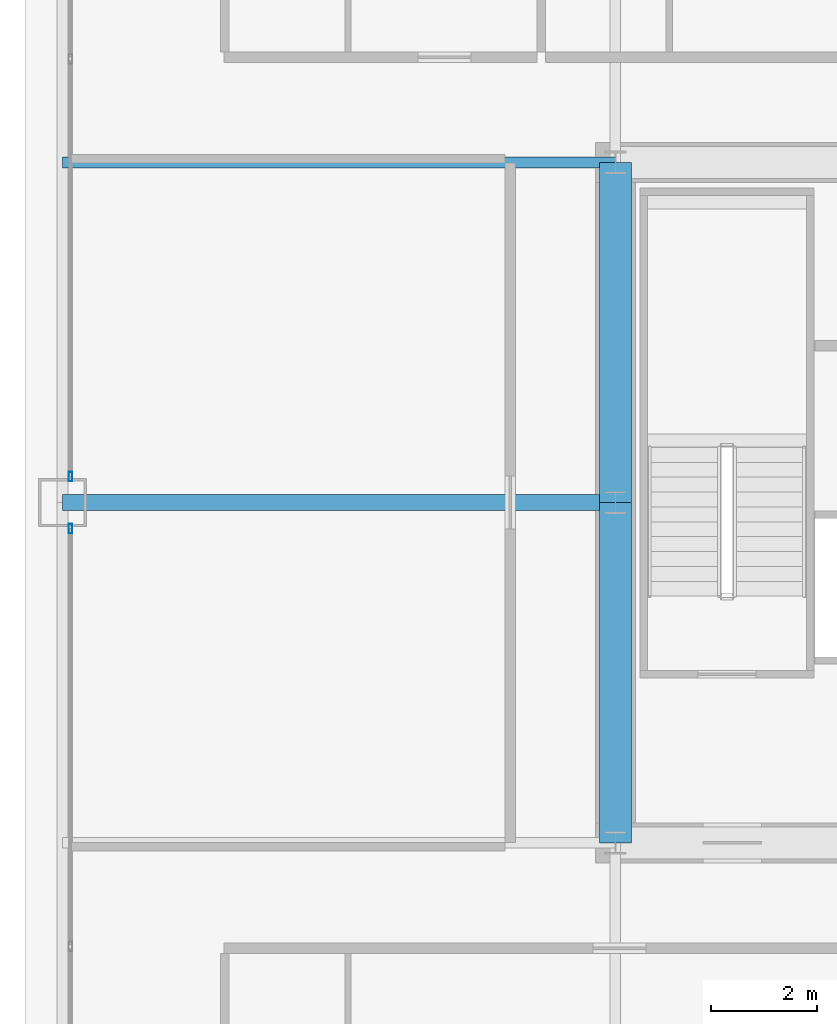
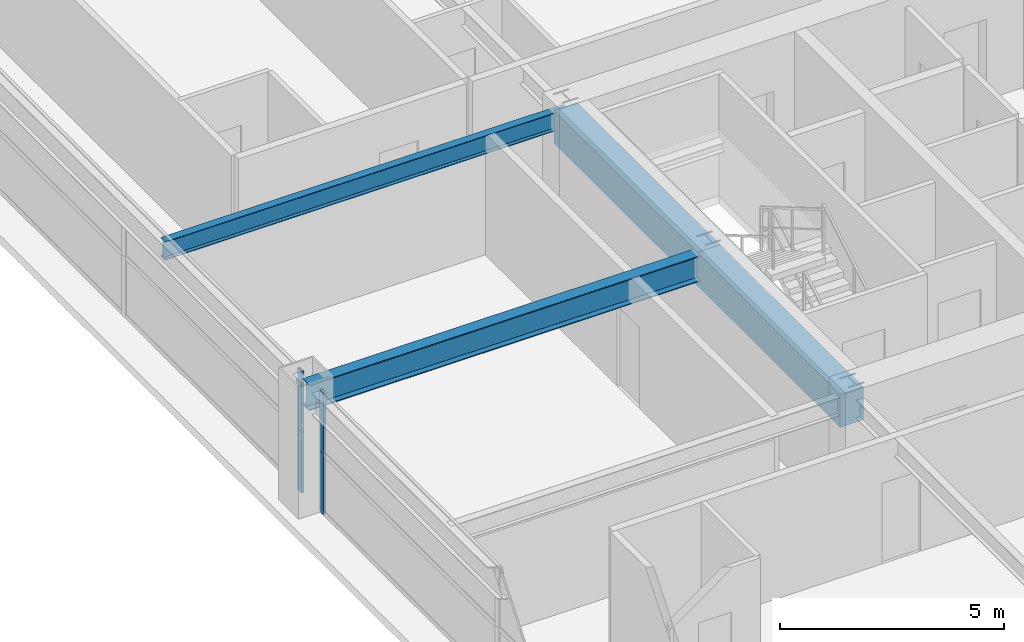
# One storey, part 11 of 38: 4 beams, 4 members, 2 elements without a shape of their own.
"""IFC4 building model written with IfcOpenShell, lengths in metres."""

import ifcopenshell
import ifcopenshell.guid

model = None  # the IFC model being written
_history = None  # IfcOwnerHistory: only IFC2X3 demands one
_inside = {}  # id of a spatial element -> (the spatial element, [elements in it])
_under = {}  # id of a project, library or spatial element -> (it, [spatial elements below it])
_declared = {}  # id of a project -> (the project, [libraries it declares])
_typed = {}  # id of a type object -> (the type object, [elements of that type])
_made_of = {}  # id of a material, layer set ... -> (it, [elements and type objects made of it])


def new_model(schema):
    """Start an empty IFC model of exactly this schema.

    Asked for "IFC4X3", IfcOpenShell would pick the latest addendum, in which some entities
    have other attributes; the version numbers below select the first issue.
    IFC2X3 requires an IfcOwnerHistory on every rooted entity: one is made here for all.
    """
    global model, _history
    if schema == "IFC4X3":
        model = ifcopenshell.file(schema_version=(4, 3, 0, 0))
    else:
        model = ifcopenshell.file(schema=schema)
    _inside.clear()
    _under.clear()
    _declared.clear()
    _typed.clear()
    _made_of.clear()
    _history = None
    if model.schema == "IFC2X3":
        org = make("IfcOrganization", Name="unknown")
        user = make(
            "IfcPersonAndOrganization",
            ThePerson=make("IfcPerson", FamilyName="unknown"),
            TheOrganization=org,
        )
        app = make(
            "IfcApplication",
            ApplicationDeveloper=org,
            Version="unknown",
            ApplicationFullName="unknown",
            ApplicationIdentifier="unknown",
        )
        _history = make(
            "IfcOwnerHistory",
            OwningUser=user,
            OwningApplication=app,
            ChangeAction="ADDED",
            CreationDate=0,
        )
    return model


def make(cls, **values):
    """One entity of the class cls with the attributes given. An attribute that is None is left unset."""
    return model.create_entity(
        cls, **{name: value for name, value in values.items() if value is not None}
    )


def rooted(cls, **values):
    """An entity with a GlobalId (a new one), such as an element, a storey or a relation."""
    return make(cls, GlobalId=ifcopenshell.guid.new(), OwnerHistory=_history, **values)


def si_unit(unit_type, name, prefix=None):
    """IfcSIUnit, for example si_unit("LENGTHUNIT", "METRE", prefix="MILLI")."""
    return make("IfcSIUnit", UnitType=unit_type, Prefix=prefix, Name=name)


def assignment(units):
    """IfcUnitAssignment: the units of a project."""
    return None if units is None else make("IfcUnitAssignment", Units=units)


def point(xyz):
    """IfcCartesianPoint."""
    return None if xyz is None else make("IfcCartesianPoint", Coordinates=xyz)


def direction(xyz):
    """IfcDirection."""
    return None if xyz is None else make("IfcDirection", DirectionRatios=xyz)


def frame(location, z_axis=None, x_axis=None):
    """IfcAxis2Placement3D, a coordinate frame: its origin and axes. An axis left out is left unset."""
    return make(
        "IfcAxis2Placement3D",
        Location=point(location),
        Axis=direction(z_axis),
        RefDirection=direction(x_axis),
    )


def frame_2d(location, x_axis=None):
    """IfcAxis2Placement2D, a coordinate frame in the plane: its origin and x axis."""
    return make(
        "IfcAxis2Placement2D", Location=point(location), RefDirection=direction(x_axis)
    )


def origin():
    """The frame at (0, 0, 0) with its axes left unset."""
    return frame((0.0, 0.0, 0.0))


def origin_2d():
    """The frame at (0, 0) in the plane with its x axis left unset."""
    return frame_2d((0.0, 0.0))


def place(relative_to, where):
    """IfcLocalPlacement: puts the frame where relative to a parent placement (None: the world)."""
    return make(
        "IfcLocalPlacement", PlacementRelTo=relative_to, RelativePlacement=where
    )


def context(
    kind, dimensions, precision=None, world=None, true_north=None, identifier=None
):
    """IfcGeometricRepresentationContext, for example the 3D "Model" context."""
    return make(
        "IfcGeometricRepresentationContext",
        ContextIdentifier=identifier,
        ContextType=kind,
        CoordinateSpaceDimension=dimensions,
        Precision=precision,
        WorldCoordinateSystem=world,
        TrueNorth=true_north,
    )


def subcontext(parent, identifier, kind, view, scale=None):
    """IfcGeometricRepresentationSubContext, for example "Body" below "Model"."""
    return make(
        "IfcGeometricRepresentationSubContext",
        ContextIdentifier=identifier,
        ContextType=kind,
        ParentContext=parent,
        TargetScale=scale,
        TargetView=view,
    )


def project(units=None, contexts=None):
    """IfcProject with its units and contexts."""
    return rooted(
        "IfcProject",
        Name="project",
        RepresentationContexts=contexts,
        UnitsInContext=assignment(units),
    )


def spatial(cls, under=None, at=None, **own):
    """A site, building, storey or space (cls), placed at a placement, below another one or the project."""
    s = rooted(cls, ObjectPlacement=at, **own)
    if under is not None:
        _under.setdefault(under.id(), (under, []))[1].append(s)
    return s


def profile(cls, at=None, kind="AREA", **sizes):
    """A parametric profile (cls). Its sizes go by their IFC names, for example OverallWidth=200.0."""
    return make(cls, ProfileType=kind, Position=at, **sizes)


def rectangle(**sizes):
    """IfcRectangleProfileDef."""
    return profile("IfcRectangleProfileDef", **sizes)


def hollow_rectangle(**sizes):
    """IfcRectangleHollowProfileDef."""
    return profile("IfcRectangleHollowProfileDef", **sizes)


def i_section(**sizes):
    """IfcIShapeProfileDef."""
    return profile("IfcIShapeProfileDef", **sizes)


def extrude(swept, where, along, depth):
    """IfcExtrudedAreaSolid: the profile swept, set in the frame where, extruded along a direction by depth."""
    return make(
        "IfcExtrudedAreaSolid",
        SweptArea=swept,
        Position=where,
        ExtrudedDirection=direction(along),
        Depth=depth,
    )


def shape(context_of_items, identifier, shape_type, items):
    """IfcShapeRepresentation: the items that make up one representation, for example the "Body"."""
    return make(
        "IfcShapeRepresentation",
        ContextOfItems=context_of_items,
        RepresentationIdentifier=identifier,
        RepresentationType=shape_type,
        Items=items,
    )


def source(mapping_origin, context_of_items, identifier, shape_type, items):
    """IfcRepresentationMap: a shape defined once, which mapped items show again and again."""
    return make(
        "IfcRepresentationMap",
        MappingOrigin=mapping_origin,
        MappedRepresentation=shape(context_of_items, identifier, shape_type, items),
    )


def transform(
    local_origin,
    x_axis=None,
    y_axis=None,
    z_axis=None,
    scale=None,
    scale2=None,
    scale3=None,
    uniform=True,
):
    """IfcCartesianTransformationOperator3D, or its non-uniform kind. x_axis, y_axis, z_axis: its Axis1, 2, 3."""
    if uniform:
        return make(
            "IfcCartesianTransformationOperator3D",
            Axis1=direction(x_axis),
            Axis2=direction(y_axis),
            LocalOrigin=point(local_origin),
            Scale=scale,
            Axis3=direction(z_axis),
        )
    return make(
        "IfcCartesianTransformationOperator3DnonUniform",
        Axis1=direction(x_axis),
        Axis2=direction(y_axis),
        LocalOrigin=point(local_origin),
        Scale=scale,
        Axis3=direction(z_axis),
        Scale2=scale2,
        Scale3=scale3,
    )


def mapped(mapping_source, mapping_target):
    """IfcMappedItem: shows the shape of a source again, moved by a transform."""
    return make(
        "IfcMappedItem", MappingSource=mapping_source, MappingTarget=mapping_target
    )


def material(Name=None, Category=None):
    """IfcMaterial."""
    return make("IfcMaterial", Name=Name, Category=Category)


def layer(
    of_material, thickness, ventilated=None, Name=None, Category=None, Priority=None
):
    """IfcMaterialLayer: one layer of a wall or slab, of a material (None: an air gap)."""
    return make(
        "IfcMaterialLayer",
        Material=of_material,
        LayerThickness=thickness,
        IsVentilated=ventilated,
        Name=Name,
        Category=Category,
        Priority=Priority,
    )


def layer_set(layers, Name=None):
    """IfcMaterialLayerSet."""
    return make("IfcMaterialLayerSet", MaterialLayers=layers, LayerSetName=Name)


def material_profile(
    of_material, cross_section, Name=None, Category=None, Priority=None
):
    """IfcMaterialProfile: a cross section and its material."""
    return make(
        "IfcMaterialProfile",
        Name=Name,
        Material=of_material,
        Profile=cross_section,
        Priority=Priority,
        Category=Category,
    )


def profile_set(profiles, Name=None, composite=None):
    """IfcMaterialProfileSet."""
    return make(
        "IfcMaterialProfileSet",
        Name=Name,
        MaterialProfiles=profiles,
        CompositeProfile=composite,
    )


def made_of(thing, what):
    """Note that an element or type object is made of a material, layer set ...; save() writes the relation."""
    if what is not None:
        _made_of.setdefault(what.id(), (what, []))[1].append(thing)
    return thing


def type_object(cls, material=None, **own):
    """A type object (cls), such as IfcWallType, which elements share."""
    return made_of(rooted(cls, **own), material)


def element(
    cls,
    number,
    at=None,
    inside=None,
    cuts=None,
    type_object=None,
    material=None,
    context=None,
    identifier="Body",
    shape_type=None,
    held_by="IfcProductDefinitionShape",
    body=None,
    shapes=None,
    **own,
):
    """One element of the class cls, such as IfcWall. Its Tag is "e" and its number.

    at: its placement. inside: the storey or other place that contains it. cuts: it is an
    opening in that element (IfcRelVoidsElement). A single representation is given by context,
    identifier, shape_type and body (its items); several are given by shapes. held_by: the class
    of the entity that holds the representations. save() writes the other relations.
    """
    e = rooted(cls, Tag="e%d" % number, ObjectPlacement=at, **own)
    if body is not None:
        shapes = [shape(context, identifier, shape_type, body)]
    if shapes is not None:
        e.Representation = make(held_by, Representations=shapes)
    if inside is not None:
        _inside.setdefault(inside.id(), (inside, []))[1].append(e)
    if cuts is not None:
        rooted(
            "IfcRelVoidsElement", RelatingBuildingElement=cuts, RelatedOpeningElement=e
        )
    if type_object is not None:
        _typed.setdefault(type_object.id(), (type_object, []))[1].append(e)
    return made_of(e, material)


def aggregate(whole, parts):
    """IfcRelAggregates: a whole, such as a stair, and the parts it consists of."""
    return rooted("IfcRelAggregates", RelatingObject=whole, RelatedObjects=parts)


def save(model, path):
    """Write the relations noted so far, then the file.

    IfcRelAggregates (storeys below a building ...), IfcRelContainedInSpatialStructure (elements
    in a storey), IfcRelDefinesByType, IfcRelAssociatesMaterial and IfcRelDeclares: one each for
    every whole, place, type object, material and project.
    """
    for whole, parts in _under.values():
        aggregate(whole, parts)
    for where, things in _inside.values():
        rooted(
            "IfcRelContainedInSpatialStructure",
            RelatedElements=things,
            RelatingStructure=where,
        )
    for kind, things in _typed.values():
        rooted("IfcRelDefinesByType", RelatedObjects=things, RelatingType=kind)
    for what, things in _made_of.values():
        rooted("IfcRelAssociatesMaterial", RelatedObjects=things, RelatingMaterial=what)
    for by, libraries in _declared.values():
        rooted("IfcRelDeclares", RelatingContext=by, RelatedDefinitions=libraries)
    model.write(path)


model = new_model("IFC4")

# Units and contexts
model_context = context("Model", 3, precision=1e-05, world=origin(), true_north=direction((0.0, 1.0)))
body_context = subcontext(model_context, "Body", "Model", "MODEL_VIEW")
ifc_project = project(units=[si_unit("LENGTHUNIT", "METRE"), si_unit("AREAUNIT", "SQUARE_METRE"), si_unit("VOLUMEUNIT", "CUBIC_METRE"), si_unit("PLANEANGLEUNIT", "RADIAN"), si_unit("MASSUNIT", "GRAM", prefix="KILO"), si_unit("THERMODYNAMICTEMPERATUREUNIT", "KELVIN"), si_unit("POWERUNIT", "WATT")], contexts=[model_context])

# Site, building, storey
site_placement = place(None, origin())
site = spatial("IfcSite", under=ifc_project, at=site_placement, CompositionType="ELEMENT")
building_placement = place(site_placement, origin())
building = spatial("IfcBuilding", under=site, at=building_placement, Name="Yuzanri Waterfront Tower", CompositionType="ELEMENT")
storey_placement = place(building_placement, frame((0.0, 0.0, 126.199951171875)))
storey = spatial("IfcBuildingStorey", under=building, at=storey_placement, Name="L33", CompositionType="ELEMENT", Elevation=126.199951171875)

# Beams
ifc_material_1 = material(Name="Concrete C60", Category="concrete")
ifc_material_profile_1 = material_profile(ifc_material_1, rectangle(XDim=0.60009765625, YDim=0.89990234375, at=origin_2d()), Name="RC 600x900")
ifc_profile_set_1 = profile_set([ifc_material_profile_1], Name="Concrete C60")
beam_type_1 = type_object("IfcBeamType", Name="Core Coupling Lintel Concrete C60 600x900", PredefinedType="LINTEL", material=ifc_profile_set_1)
shared_shape_1 = source(origin(), body_context, "Body", "SweptSolid", [
    extrude(rectangle(XDim=0.60009765625, YDim=0.89990234375, at=origin_2d()), origin(), (0.0, 0.0, 1.0), 6.400146484375),
])
beam_1_placement = place(storey_placement, frame((23.800048828125, 19.39990234375, 2.8701171875), z_axis=(0.0, 1.0, 0.0), x_axis=(-1.0, 0.0, 0.0)))
element("IfcBeam", 1, at=beam_1_placement, inside=storey, type_object=beam_type_1, Name="L33 Core Tie Beam CW1", PredefinedType="LINTEL", context=body_context, shape_type="MappedRepresentation", body=[
    mapped(shared_shape_1, transform((0.0, 0.0, 0.0), scale=1.0)),
])
shared_shape_2 = source(origin(), body_context, "Body", "SweptSolid", [
    extrude(rectangle(XDim=0.60009765625, YDim=0.89990234375, at=origin_2d()), origin(), (0.0, 0.0, 1.0), 6.39990234375),
])
beam_2_placement = place(storey_placement, frame((23.800048828125, 25.800048828125, 2.8701171875), z_axis=(0.0, 1.0, 0.0), x_axis=(-1.0, 0.0, 0.0)))
element("IfcBeam", 2, at=beam_2_placement, inside=storey, type_object=beam_type_1, Name="L33 Core Tie Beam CW2", PredefinedType="LINTEL", context=body_context, shape_type="MappedRepresentation", body=[
    mapped(shared_shape_2, transform((0.0, 0.0, 0.0), scale=1.0)),
])
ifc_material_2 = material(Name="Steel Q355B", Category="steel")
ifc_material_profile_2 = material_profile(ifc_material_2, i_section(OverallWidth=0.300048828125, OverallDepth=0.699951171875, WebThickness=0.012939453125, FlangeThickness=0.02392578125, at=origin_2d()), Name="HN 700x300x13x24")
ifc_profile_set_2 = profile_set([ifc_material_profile_2], Name="Steel Q355B")
beam_type_2 = type_object("IfcBeamType", Name="Primary Floor Girder Q355B HN 700x300", PredefinedType="BEAM", material=ifc_profile_set_2)
shared_shape_3 = source(origin(), body_context, "Body", "SweptSolid", [
    extrude(i_section(OverallWidth=0.300048828125, OverallDepth=0.699951171875, WebThickness=0.012939453125, FlangeThickness=0.02392578125, at=origin_2d()), origin(), (0.0, 0.0, 1.0), 10.400146484375),
])
beam_3_placement = place(storey_placement, frame((23.800048828125, 25.800048828125, 2.969970703125), z_axis=(-1.0, 0.0, 0.0), x_axis=(0.0, -1.0, 0.0)))
element("IfcBeam", 3, at=beam_3_placement, inside=storey, type_object=beam_type_2, Name="L33 West Grid Girder", PredefinedType="BEAM", context=body_context, shape_type="MappedRepresentation", body=[
    mapped(shared_shape_3, transform((0.0, 0.0, 0.0), scale=1.0)),
])
ifc_material_3 = material(Name="Steel Q355B", Category="steel")
ifc_material_profile_3 = material_profile(ifc_material_3, i_section(OverallWidth=0.199951171875, OverallDepth=0.5, WebThickness=0.010009765625, FlangeThickness=0.01611328125, at=origin_2d()), Name="HN 500x200x10x16")
ifc_profile_set_3 = profile_set([ifc_material_profile_3], Name="Steel Q355B")
beam_type_3 = type_object("IfcBeamType", Name="Secondary Floor Beam Q355B HN 500x200", PredefinedType="BEAM", material=ifc_profile_set_3)
shared_shape_4 = source(origin(), body_context, "Body", "SweptSolid", [
    extrude(i_section(OverallWidth=0.199951171875, OverallDepth=0.5, WebThickness=0.010009765625, FlangeThickness=0.01611328125, at=origin_2d()), origin(), (0.0, 0.0, 1.0), 10.400146484375),
])
beam_4_placement = place(storey_placement, frame((23.800048828125, 32.199951171875, 3.070068359375), z_axis=(-1.0, 0.0, 0.0), x_axis=(0.0, -1.0, 0.0)))
element("IfcBeam", 4, at=beam_4_placement, inside=storey, type_object=beam_type_3, Name="L33 West-North Core Line Beam", PredefinedType="BEAM", context=body_context, shape_type="MappedRepresentation", body=[
    mapped(shared_shape_4, transform((0.0, 0.0, 0.0), scale=1.0)),
])

# Curtain wall, members
ifc_material_4 = material(Name="Anodized Architectural Bronze", Category="metal")
ifc_layer = layer(ifc_material_4, 0.159912109375)
ifc_layer_set = layer_set([ifc_layer], Name="Anodized Architectural Bronze")
curtain_wall_type = type_object("IfcCurtainWallType", Name="Anodized Bronze Hotel Upper-Tier Solar-Control Unitized Curtain Wall 7800", PredefinedType="NOTDEFINED", material=ifc_layer_set)
curtain_wall_1_placement = place(storey_placement, origin())
curtain_wall_1 = element("IfcCurtainWall", 5, at=curtain_wall_1_placement, inside=storey, type_object=curtain_wall_type, Name="L33 Curtain Wall CW-L33-WL", PredefinedType="NOTDEFINED")
ifc_material_5 = material(Name="Anodized Architectural Bronze", Category="metal")
ifc_material_profile_4 = material_profile(ifc_material_5, hollow_rectangle(XDim=0.070068359375, YDim=0.179931640625, WallThickness=0.00390625, at=origin_2d()), Name="CWM 70x180")
ifc_profile_set_4 = profile_set([ifc_material_profile_4], Name="Anodized Architectural Bronze")
member_type = type_object("IfcMemberType", Name="Anodized Bronze Standard Curtain-Wall Mullion 70x180", PredefinedType="MULLION", material=ifc_profile_set_4)
shared_shape_5 = source(origin(), body_context, "Body", "SweptSolid", [
    extrude(hollow_rectangle(XDim=0.070068359375, YDim=0.179931640625, WallThickness=0.00390625, at=origin_2d()), origin(), (0.0, 0.0, 1.0), 1.657958984375),
])
member_1_placement = place(storey_placement, frame((13.550048828125, 25.31005859375, 0.0), z_axis=(0.0, 0.0, 1.0), x_axis=(1.0, 0.0, 0.0)))
member_1 = element("IfcMember", 6, at=member_1_placement, type_object=member_type, Name="CW-L33-WL Lower Mullion 02", PredefinedType="MULLION", context=body_context, shape_type="MappedRepresentation", body=[
    mapped(shared_shape_5, transform((0.0, 0.0, 0.0), scale=1.0)),
])
member_2_placement = place(storey_placement, frame((13.550048828125, 25.31005859375, 1.662109375), z_axis=(0.0, 0.0, 1.0), x_axis=(1.0, 0.0, 0.0)))
member_2 = element("IfcMember", 7, at=member_2_placement, type_object=member_type, Name="CW-L33-WL Upper Mullion 02", PredefinedType="MULLION", context=body_context, shape_type="MappedRepresentation", body=[
    mapped(shared_shape_5, transform((0.0, 0.0, 0.0), scale=1.0)),
])
aggregate(curtain_wall_1, [member_1, member_2])

curtain_wall_2_placement = place(storey_placement, origin())
curtain_wall_2 = element("IfcCurtainWall", 8, at=curtain_wall_2_placement, inside=storey, type_object=curtain_wall_type, Name="L33 Curtain Wall CW-L33-WR", PredefinedType="NOTDEFINED")
member_3_placement = place(storey_placement, frame((13.550048828125, 26.2900390625, 0.0), z_axis=(0.0, 0.0, 1.0), x_axis=(1.0, 0.0, 0.0)))
member_3 = element("IfcMember", 9, at=member_3_placement, type_object=member_type, Name="CW-L33-WR Lower Mullion 00", PredefinedType="MULLION", context=body_context, shape_type="MappedRepresentation", body=[
    mapped(shared_shape_5, transform((0.0, 0.0, 0.0), scale=1.0)),
])
member_4_placement = place(storey_placement, frame((13.550048828125, 26.2900390625, 1.662109375), z_axis=(0.0, 0.0, 1.0), x_axis=(1.0, 0.0, 0.0)))
member_4 = element("IfcMember", 10, at=member_4_placement, type_object=member_type, Name="CW-L33-WR Upper Mullion 00", PredefinedType="MULLION", context=body_context, shape_type="MappedRepresentation", body=[
    mapped(shared_shape_5, transform((0.0, 0.0, 0.0), scale=1.0)),
])
aggregate(curtain_wall_2, [member_3, member_4])

save(model, "model.ifc")
